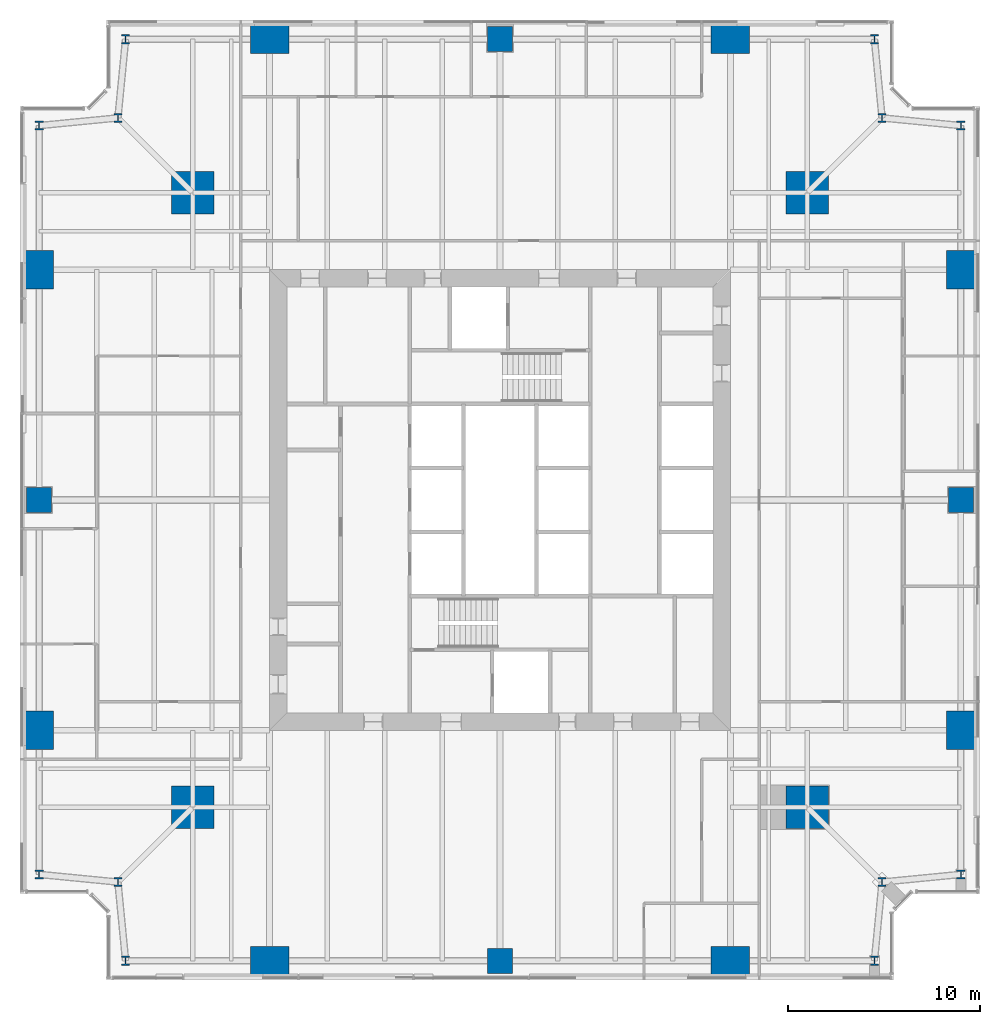
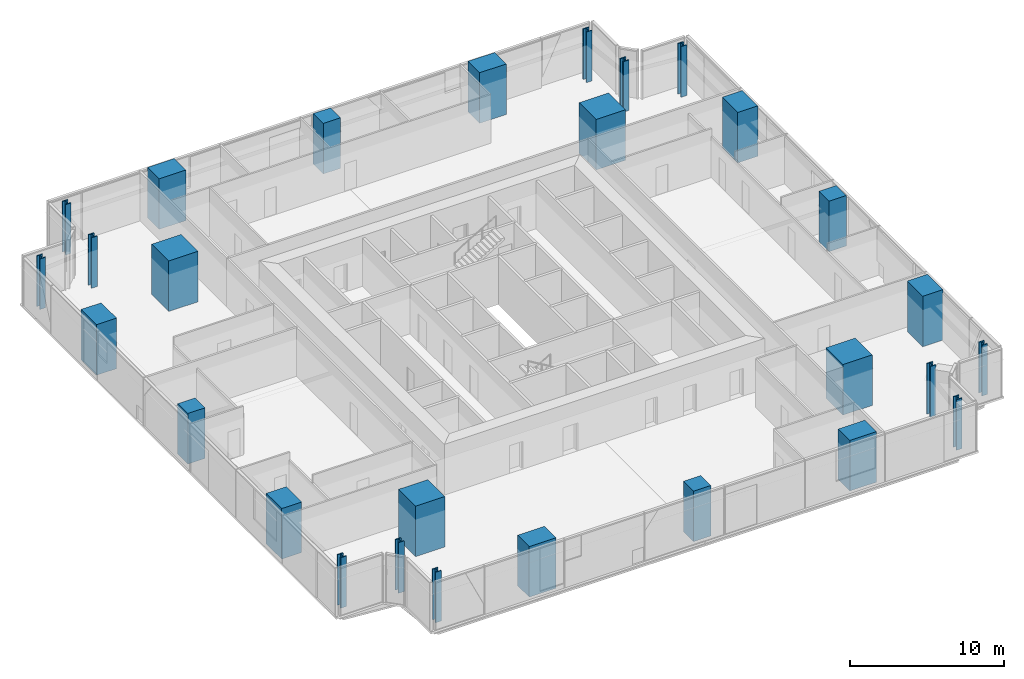
# One storey, part 1 of 14: 28 columns.
"""IFC4 building model written with IfcOpenShell, lengths in metres."""

from ifc_helpers import new_model, si_unit, direction, frame, origin, origin_2d, place, context, subcontext, project, spatial, rectangle, i_section, extrude, material, material_profile, profile_set, type_object, element, save


model = new_model("IFC4")

# Units and contexts
model_context = context("Model", 3, precision=1e-05, world=origin(), true_north=direction((0.0, 1.0)))
body_context = subcontext(model_context, "Body", "Model", "MODEL_VIEW")
ifc_project = project(units=[si_unit("LENGTHUNIT", "METRE"), si_unit("AREAUNIT", "SQUARE_METRE"), si_unit("VOLUMEUNIT", "CUBIC_METRE"), si_unit("PLANEANGLEUNIT", "RADIAN"), si_unit("MASSUNIT", "GRAM", prefix="KILO")], contexts=[model_context])

# Site, building, storey
site_placement = place(None, origin())
site = spatial("IfcSite", under=ifc_project, at=site_placement, CompositionType="ELEMENT")
building_placement = place(site_placement, origin())
building = spatial("IfcBuilding", under=site, at=building_placement, Name="Fenwick Lantern Interchange", CompositionType="ELEMENT")
storey_placement = place(building_placement, frame((0.0, 0.0, 134.39990234375)))
storey = spatial("IfcBuildingStorey", under=building, at=storey_placement, Name="L31", CompositionType="ELEMENT", Elevation=134.39990234375)

# Columns
ifc_material_1 = material(Name="Concrete f'c 70 MPa", Category="concrete")
ifc_material_profile_1 = material_profile(ifc_material_1, rectangle(XDim=2.199951171875, YDim=2.199951171875, at=origin_2d()), Name="RC2200X2200")
ifc_profile_set_1 = profile_set([ifc_material_profile_1], Name="Concrete f'c 70 MPa")
column_type_1 = type_object("IfcColumnType", Name="MEGA COLUMN RC2200X2200", PredefinedType="COLUMN", material=ifc_profile_set_1)
for number, where, z_axis, x_axis, name in (
    (1, (9.0, 9.0, 0.0), (0.0, 0.0, 1.0), (1.0, 0.0, 0.0), "L31/M1"),
    (2, (41.0, 9.0, 0.0), (0.0, 0.0, 1.0), (1.0, 0.0, 0.0), "L31/M2"),
    (3, (41.0, 41.0, 0.0), (0.0, 0.0, 1.0), (1.0, 0.0, 0.0), "L31/M3"),
    (4, (9.0, 41.0, 0.0), (0.0, 0.0, 1.0), (1.0, 0.0, 0.0), "L31/M4"),
):
    element("IfcColumn", number, at=place(storey_placement, frame(where, z_axis=z_axis, x_axis=x_axis)), inside=storey, type_object=column_type_1, Name=name, PredefinedType="COLUMN", context=body_context, shape_type="SweptSolid", body=[
        extrude(rectangle(XDim=2.199951171875, YDim=2.199951171875, at=origin_2d()), origin(), (0.0, 0.0, 1.0), 4.0),
    ])
ifc_material_profile_2 = material_profile(ifc_material_1, rectangle(XDim=1.300048828125, YDim=1.300048828125, at=origin_2d()), Name="RC1300X1300")
ifc_profile_set_2 = profile_set([ifc_material_profile_2], Name="Concrete f'c 70 MPa")
column_type_2 = type_object("IfcColumnType", Name="PERIMETER COLUMN RC1300X1300", PredefinedType="COLUMN", material=ifc_profile_set_2)
for number, where, z_axis, x_axis, name in (
    (5, (25.0, 1.0, 0.0), (0.0, 0.0, 1.0), (1.0, 0.0, 0.0), "L31/CS3"),
    (6, (49.0, 25.0, 0.0), (0.0, 0.0, 1.0), (1.0, 0.0, 0.0), "L31/CE3"),
    (7, (25.0, 49.0, 0.0), (0.0, 0.0, 1.0), (1.0, 0.0, 0.0), "L31/CN3"),
    (8, (1.0, 25.0, 0.0), (0.0, 0.0, 1.0), (1.0, 0.0, 0.0), "L31/CW3"),
):
    element("IfcColumn", number, at=place(storey_placement, frame(where, z_axis=z_axis, x_axis=x_axis)), inside=storey, type_object=column_type_2, Name=name, PredefinedType="COLUMN", context=body_context, shape_type="SweptSolid", body=[
        extrude(rectangle(XDim=1.300048828125, YDim=1.300048828125, at=origin_2d()), origin(), (0.0, 0.0, 1.0), 4.0),
    ])
ifc_material_profile_3 = material_profile(ifc_material_1, rectangle(XDim=1.5, YDim=2.0, at=origin_2d()), Name="RC1500X2000")
ifc_profile_set_3 = profile_set([ifc_material_profile_3], Name="Concrete f'c 70 MPa")
column_type_3 = type_object("IfcColumnType", Name="PERIMETER COLUMN RC1500X2000", PredefinedType="COLUMN", material=ifc_profile_set_3)
for number, where, z_axis, x_axis, name in (
    (9, (49.0, 13.0, 0.0), (0.0, 0.0, 1.0), (1.0, 0.0, 0.0), "L31/CE2"),
    (10, (49.0, 37.0, 0.0), (0.0, 0.0, 1.0), (1.0, 0.0, 0.0), "L31/CE4"),
    (11, (1.0, 37.0, 0.0), (0.0, 0.0, 1.0), (1.0, 0.0, 0.0), "L31/CW2"),
    (12, (1.0, 13.0, 0.0), (0.0, 0.0, 1.0), (1.0, 0.0, 0.0), "L31/CW4"),
):
    element("IfcColumn", number, at=place(storey_placement, frame(where, z_axis=z_axis, x_axis=x_axis)), inside=storey, type_object=column_type_3, Name=name, PredefinedType="COLUMN", context=body_context, shape_type="SweptSolid", body=[
        extrude(rectangle(XDim=1.5, YDim=2.0, at=origin_2d()), origin(), (0.0, 0.0, 1.0), 4.0),
    ])
ifc_material_profile_4 = material_profile(ifc_material_1, rectangle(XDim=2.0, YDim=1.5, at=origin_2d()), Name="RC2000X1500")
ifc_profile_set_4 = profile_set([ifc_material_profile_4], Name="Concrete f'c 70 MPa")
column_type_4 = type_object("IfcColumnType", Name="PERIMETER COLUMN RC2000X1500", PredefinedType="COLUMN", material=ifc_profile_set_4)
for number, where, z_axis, x_axis, name in (
    (13, (13.0, 1.0, 0.0), (0.0, 0.0, 1.0), (1.0, 0.0, 0.0), "L31/CS2"),
    (14, (37.0, 1.0, 0.0), (0.0, 0.0, 1.0), (1.0, 0.0, 0.0), "L31/CS4"),
    (15, (37.0, 49.0, 0.0), (0.0, 0.0, 1.0), (1.0, 0.0, 0.0), "L31/CN2"),
    (16, (13.0, 49.0, 0.0), (0.0, 0.0, 1.0), (1.0, 0.0, 0.0), "L31/CN4"),
):
    element("IfcColumn", number, at=place(storey_placement, frame(where, z_axis=z_axis, x_axis=x_axis)), inside=storey, type_object=column_type_4, Name=name, PredefinedType="COLUMN", context=body_context, shape_type="SweptSolid", body=[
        extrude(rectangle(XDim=2.0, YDim=1.5, at=origin_2d()), origin(), (0.0, 0.0, 1.0), 4.0),
    ])
ifc_material_2 = material(Name="Steel ASTM A992 Grade 50", Category="steel")
ifc_material_profile_5 = material_profile(ifc_material_2, i_section(OverallWidth=0.424072265625, OverallDepth=0.47509765625, WebThickness=0.0478515625, FlangeThickness=0.0771484375, at=origin_2d()), Name="W14X426")
ifc_profile_set_5 = profile_set([ifc_material_profile_5], Name="Steel ASTM A992 Grade 50")
column_type_5 = type_object("IfcColumnType", Name="PERIMETER COLUMN W14X426", PredefinedType="COLUMN", material=ifc_profile_set_5)
for number, where, z_axis, x_axis, name in (
    (17, (5.5, 1.0, 0.0), (0.0, 0.0, 1.0), (1.0, 0.0, 0.0), "L31/CS1"),
    (18, (44.5, 1.0, 0.0), (0.0, 0.0, 1.0), (1.0, 0.0, 0.0), "L31/CS5"),
    (19, (44.89990234375, 5.10009765625, 0.0), (0.0, 0.0, 1.0), (1.0, 0.0, 0.0), "L31/CSR"),
    (20, (49.0, 5.5, 0.0), (0.0, 0.0, 1.0), (1.0, 0.0, 0.0), "L31/CE1"),
    (21, (49.0, 44.5, 0.0), (0.0, 0.0, 1.0), (1.0, 0.0, 0.0), "L31/CE5"),
    (22, (44.89990234375, 44.89990234375, 0.0), (0.0, 0.0, 1.0), (1.0, 0.0, 0.0), "L31/CER"),
    (23, (44.5, 49.0, 0.0), (0.0, 0.0, 1.0), (1.0, 0.0, 0.0), "L31/CN1"),
    (24, (5.5, 49.0, 0.0), (0.0, 0.0, 1.0), (1.0, 0.0, 0.0), "L31/CN5"),
    (25, (5.10009765625, 44.89990234375, 0.0), (0.0, 0.0, 1.0), (1.0, 0.0, 0.0), "L31/CNR"),
    (26, (1.0, 44.5, 0.0), (0.0, 0.0, 1.0), (1.0, 0.0, 0.0), "L31/CW1"),
    (27, (1.0, 5.5, 0.0), (0.0, 0.0, 1.0), (1.0, 0.0, 0.0), "L31/CW5"),
    (28, (5.10009765625, 5.10009765625, 0.0), (0.0, 0.0, 1.0), (1.0, 0.0, 0.0), "L31/CWR"),
):
    element("IfcColumn", number, at=place(storey_placement, frame(where, z_axis=z_axis, x_axis=x_axis)), inside=storey, type_object=column_type_5, Name=name, PredefinedType="COLUMN", context=body_context, shape_type="SweptSolid", body=[
        extrude(i_section(OverallWidth=0.424072265625, OverallDepth=0.47509765625, WebThickness=0.0478515625, FlangeThickness=0.0771484375, at=origin_2d()), origin(), (0.0, 0.0, 1.0), 4.0),
    ])

save(model, "model.ifc")
